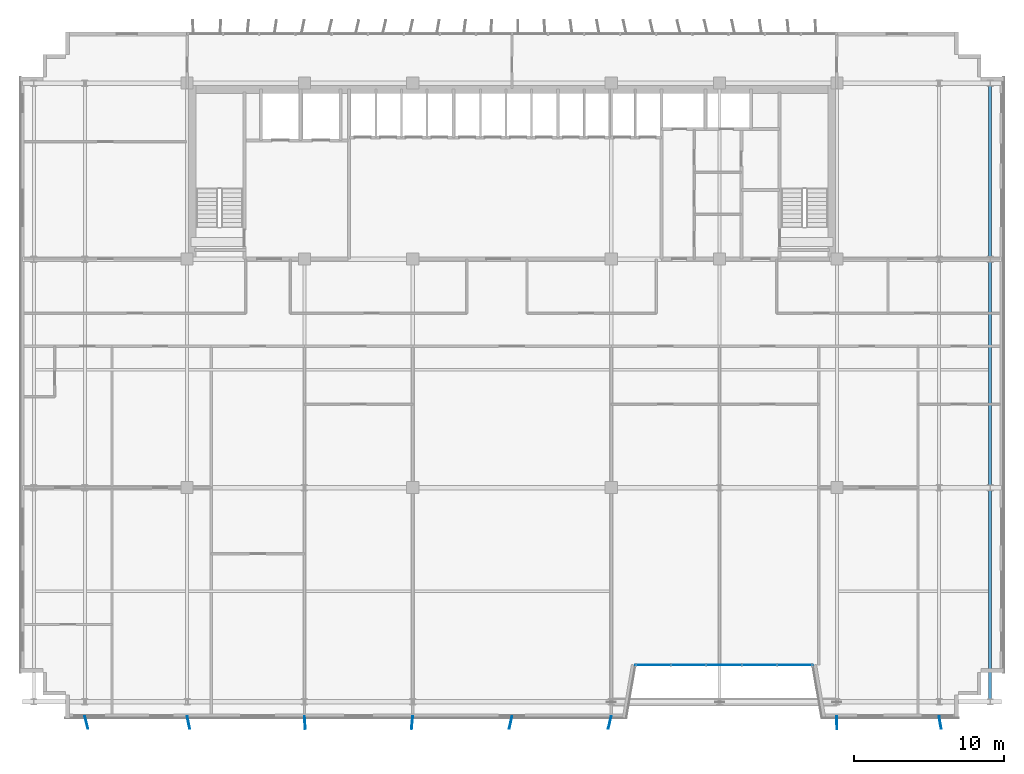
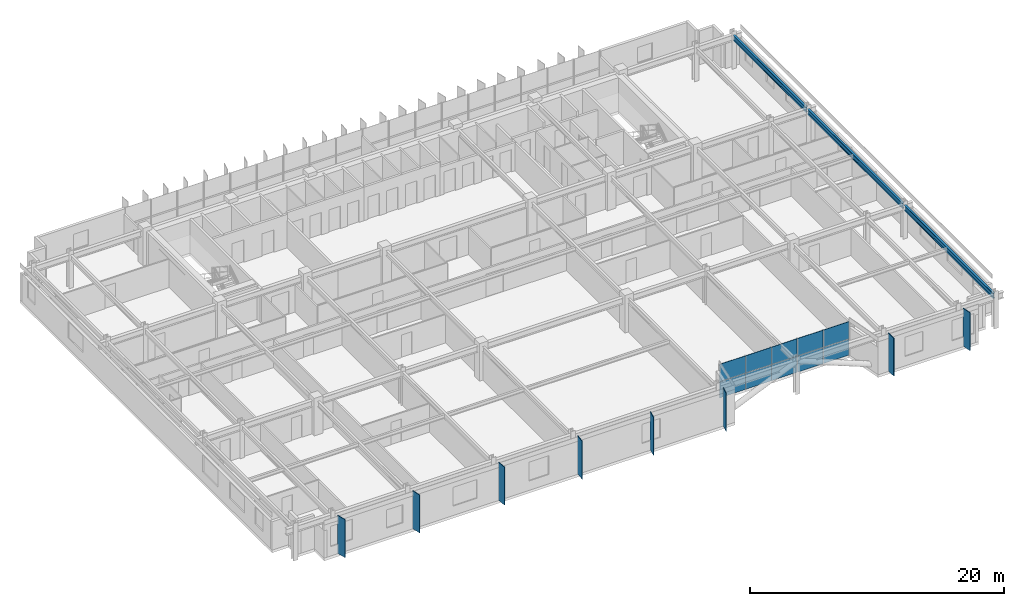
# One storey, part 16 of 26: 18 plates, 3 beams, 1 element without a shape of its own.
"""IFC4 building model written with IfcOpenShell, lengths in metres."""

from ifc_helpers import new_model, si_unit, direction, frame, origin, origin_2d, place, context, subcontext, project, spatial, rectangle, i_section, extrude, source, transform, mapped, material, layer, layer_set, material_profile, profile_set, type_object, element, aggregate, save


model = new_model("IFC4")

# Units and contexts
model_context = context("Model", 3, precision=1e-05, world=origin(), true_north=direction((0.0, 1.0)))
body_context = subcontext(model_context, "Body", "Model", "MODEL_VIEW")
ifc_project = project(units=[si_unit("LENGTHUNIT", "METRE"), si_unit("AREAUNIT", "SQUARE_METRE"), si_unit("VOLUMEUNIT", "CUBIC_METRE"), si_unit("PLANEANGLEUNIT", "RADIAN"), si_unit("MASSUNIT", "GRAM", prefix="KILO")], contexts=[model_context])

# Site, building, storey
site_placement = place(None, origin())
site = spatial("IfcSite", under=ifc_project, at=site_placement, CompositionType="ELEMENT")
building_placement = place(site_placement, origin())
building = spatial("IfcBuilding", under=site, at=building_placement, Name="Trelvane Seafront Commons", CompositionType="ELEMENT")
storey_placement = place(building_placement, frame((0.0, 0.0, 128.5)))
storey = spatial("IfcBuildingStorey", under=building, at=storey_placement, Name="L33", CompositionType="ELEMENT", Elevation=128.5)

# Beams
ifc_material_1 = material(Name="Steel SM355 (S355)", Category="steel")
ifc_material_profile = material_profile(ifc_material_1, i_section(OverallWidth=0.199951171875, OverallDepth=0.5, WebThickness=0.010009765625, FlangeThickness=0.01611328125, at=origin_2d()), Name="H-500x200x10x16")
ifc_profile_set = profile_set([ifc_material_profile], Name="Steel SM355 (S355)")
beam_type = type_object("IfcBeamType", Name="STR-BM-H500", PredefinedType="BEAM", material=ifc_profile_set)
shared_shape_1 = source(origin(), body_context, "Body", "SweptSolid", [
    extrude(i_section(OverallWidth=0.199951171875, OverallDepth=0.5, WebThickness=0.010009765625, FlangeThickness=0.01611328125, at=origin_2d()), origin(), (0.0, 0.0, 1.0), 14.050048828125),
])
beam_1_placement = place(storey_placement, frame((69.0, 4.050048828125, 2.969970703125), z_axis=(0.0, 1.0, 0.0), x_axis=(-1.0, 0.0, 0.0)))
element("IfcBeam", 1, at=beam_1_placement, inside=storey, type_object=beam_type, Name="L33 Primary Girder G-64", PredefinedType="BEAM", context=body_context, shape_type="MappedRepresentation", body=[
    mapped(shared_shape_1, transform((0.0, 0.0, 0.0), x_axis=(1.0, 0.0, 0.0), y_axis=(0.0, 1.0, 0.0), z_axis=(0.0, 0.0, 1.0), scale=1.0)),
])
shared_shape_2 = source(origin(), body_context, "Body", "SweptSolid", [
    extrude(i_section(OverallWidth=0.199951171875, OverallDepth=0.5, WebThickness=0.010009765625, FlangeThickness=0.01611328125, at=origin_2d()), origin(), (0.0, 0.0, 1.0), 15.0),
])
beam_2_placement = place(storey_placement, frame((69.0, 18.300048828125, 2.969970703125), z_axis=(0.0, 1.0, 0.0), x_axis=(-1.0, 0.0, 0.0)))
element("IfcBeam", 2, at=beam_2_placement, inside=storey, type_object=beam_type, Name="L33 Primary Girder G-65", PredefinedType="BEAM", context=body_context, shape_type="MappedRepresentation", body=[
    mapped(shared_shape_2, transform((0.0, 0.0, 0.0), x_axis=(1.0, 0.0, 0.0), y_axis=(0.0, 1.0, 0.0), z_axis=(0.0, 0.0, 1.0), scale=1.0)),
])
shared_shape_3 = source(origin(), body_context, "Body", "SweptSolid", [
    extrude(i_section(OverallWidth=0.199951171875, OverallDepth=0.5, WebThickness=0.010009765625, FlangeThickness=0.01611328125, at=origin_2d()), origin(), (0.0, 0.0, 1.0), 11.5),
])
beam_3_placement = place(storey_placement, frame((69.0, 33.5, 2.969970703125), z_axis=(0.0, 1.0, 0.0), x_axis=(-1.0, 0.0, 0.0)))
element("IfcBeam", 3, at=beam_3_placement, inside=storey, type_object=beam_type, Name="L33 Primary Girder G-66", PredefinedType="BEAM", context=body_context, shape_type="MappedRepresentation", body=[
    mapped(shared_shape_3, transform((0.0, 0.0, 0.0), x_axis=(1.0, 0.0, 0.0), y_axis=(0.0, 1.0, 0.0), z_axis=(0.0, 0.0, 1.0), scale=1.0)),
])

# Plates
ifc_material_2 = material(Name="Anodised pale-silver aluminium", Category="aluminium")
ifc_layer_1 = layer(ifc_material_2, 0.06005859375, Name="ARCH-PLATE-FIN900")
ifc_layer_set_1 = layer_set([ifc_layer_1], Name="Anodised pale-silver aluminium")
plate_type_1 = type_object("IfcPlateType", Name="ARCH-PLATE-FIN900", PredefinedType="USERDEFINED", material=ifc_layer_set_1)
shared_shape_4 = source(origin(), body_context, "Body", "SweptSolid", [
    extrude(rectangle(XDim=0.85009765625, YDim=0.06005859375, at=origin_2d()), origin(), (0.0, 0.0, 1.0), 3.639892578125),
])
for number, where, z_axis, x_axis, name in (
    (4, (8.902099609375, 2.58740234375, -0.02001953125), (0.0, 0.0, 1.0), (0.240126387968, -0.970741632877, 0.0), "FIN-S-L33-00898"),
    (5, (15.6865234375, 2.583984375, -0.02001953125), (0.0, 0.0, 1.0), (0.203417898691, -0.979092007164, 0.0), "FIN-S-L33-00899"),
    (6, (23.43017578125, 2.575927734375, -0.02001953125), (0.0, 0.0, 1.0), (0.070703588438, -0.997497369712, 0.0), "FIN-S-L33-00900"),
    (7, (30.55908203125, 2.576904296875, -0.02001953125), (0.0, 0.0, 1.0), (-0.096358241554, -0.995346718126, 0.0), "FIN-S-L33-00901"),
    (8, (37.10791015625, 2.585205078125, -0.02001953125), (0.0, 0.0, 1.0), (-0.216705423357, -0.976237040625, 0.0), "FIN-S-L33-00902"),
    (9, (43.699951171875, 2.5869140625, -0.02001953125), (0.0, 0.0, 1.0), (-0.235415222922, -0.971894887741, 0.0), "FIN-S-L33-00903"),
    (10, (58.806640625, 2.5751953125, -0.02001953125), (0.0, 0.0, 1.0), (0.015764906046, -0.999875726147, 0.0), "FIN-S-L33-00904"),
    (11, (65.67138671875, 2.5810546875, -0.02001953125), (0.0, 0.0, 1.0), (0.168346586498, -0.98572786651, 0.0), "FIN-S-L33-00905"),
):
    element("IfcPlate", number, at=place(storey_placement, frame(where, z_axis=z_axis, x_axis=x_axis)), inside=storey, type_object=plate_type_1, Name=name, ObjectType="FIN", PredefinedType="USERDEFINED", context=body_context, shape_type="MappedRepresentation", body=[
        mapped(shared_shape_4, transform((0.0, 0.0, 0.0), x_axis=(1.0, 0.0, 0.0), y_axis=(0.0, 1.0, 0.0), z_axis=(0.0, 0.0, 1.0), scale=1.0)),
    ])

# Curtain wall, plates
curtain_wall_type = type_object("IfcCurtainWallType", Name="ARCH-CW3-PORTAL", PredefinedType="NOTDEFINED", material=ifc_material_2)
curtain_wall_placement = place(storey_placement, origin())
curtain_wall = element("IfcCurtainWall", 12, at=curtain_wall_placement, inside=storey, type_object=curtain_wall_type, Name="CW-L33-VN-0060", PredefinedType="NOTDEFINED")
ifc_material_3 = material(Name="Low-E coastal double glazing", Category="glass")
ifc_layer_2 = layer(ifc_material_3, 0.033935546875, Name="ARCH-CW-GLAZ-34")
ifc_layer_set_2 = layer_set([ifc_layer_2], Name="Low-E coastal double glazing")
plate_type_2 = type_object("IfcPlateType", Name="ARCH-CW-GLAZ-34", PredefinedType="CURTAIN_PANEL", material=ifc_layer_set_2)
shared_shape_5 = source(origin(), body_context, "Body", "SweptSolid", [
    extrude(rectangle(XDim=2.3359375, YDim=0.0380859375, at=origin_2d()), origin(), (0.0, 0.0, 1.0), 1.528076171875),
])
plate_1_placement = place(storey_placement, frame((56.02001953125, 6.39990234375, 0.0), z_axis=(0.0, 0.0, 1.0), x_axis=(-1.0, 0.0, 0.0)))
plate_1 = element("IfcPlate", 13, at=plate_1_placement, type_object=plate_type_2, Name="CW-L33-VN-0060-P00-1", PredefinedType="CURTAIN_PANEL", context=body_context, shape_type="MappedRepresentation", body=[
    mapped(shared_shape_5, transform((0.0, 0.0, 0.0), x_axis=(1.0, 0.0, 0.0), y_axis=(0.0, 1.0, 0.0), z_axis=(0.0, 0.0, 1.0), scale=1.0)),
])
plate_2_placement = place(storey_placement, frame((53.659912109375, 6.39990234375, 0.0), z_axis=(0.0, 0.0, 1.0), x_axis=(-1.0, 0.0, 0.0)))
plate_2 = element("IfcPlate", 14, at=plate_2_placement, type_object=plate_type_2, Name="CW-L33-VN-0060-P01-1", PredefinedType="CURTAIN_PANEL", context=body_context, shape_type="MappedRepresentation", body=[
    mapped(shared_shape_5, transform((0.0, 0.0, 0.0), x_axis=(1.0, 0.0, 0.0), y_axis=(0.0, 1.0, 0.0), z_axis=(0.0, 0.0, 1.0), scale=1.0)),
])
plate_3_placement = place(storey_placement, frame((51.300048828125, 6.39990234375, 0.0), z_axis=(0.0, 0.0, 1.0), x_axis=(-1.0, 0.0, 0.0)))
plate_3 = element("IfcPlate", 15, at=plate_3_placement, type_object=plate_type_2, Name="CW-L33-VN-0060-P02-1", PredefinedType="CURTAIN_PANEL", context=body_context, shape_type="MappedRepresentation", body=[
    mapped(shared_shape_5, transform((0.0, 0.0, 0.0), x_axis=(1.0, 0.0, 0.0), y_axis=(0.0, 1.0, 0.0), z_axis=(0.0, 0.0, 1.0), scale=1.0)),
])
plate_4_placement = place(storey_placement, frame((48.93994140625, 6.39990234375, 0.0), z_axis=(0.0, 0.0, 1.0), x_axis=(-1.0, 0.0, 0.0)))
plate_4 = element("IfcPlate", 16, at=plate_4_placement, type_object=plate_type_2, Name="CW-L33-VN-0060-P03-1", PredefinedType="CURTAIN_PANEL", context=body_context, shape_type="MappedRepresentation", body=[
    mapped(shared_shape_5, transform((0.0, 0.0, 0.0), x_axis=(1.0, 0.0, 0.0), y_axis=(0.0, 1.0, 0.0), z_axis=(0.0, 0.0, 1.0), scale=1.0)),
])
plate_5_placement = place(storey_placement, frame((46.580078125, 6.39990234375, 0.0), z_axis=(0.0, 0.0, 1.0), x_axis=(-1.0, 0.0, 0.0)))
plate_5 = element("IfcPlate", 17, at=plate_5_placement, type_object=plate_type_2, Name="CW-L33-VN-0060-P04-1", PredefinedType="CURTAIN_PANEL", context=body_context, shape_type="MappedRepresentation", body=[
    mapped(shared_shape_5, transform((0.0, 0.0, 0.0), x_axis=(1.0, 0.0, 0.0), y_axis=(0.0, 1.0, 0.0), z_axis=(0.0, 0.0, 1.0), scale=1.0)),
])
shared_shape_6 = source(origin(), body_context, "Body", "SweptSolid", [
    extrude(rectangle(XDim=2.3359375, YDim=0.0380859375, at=origin_2d()), origin(), (0.0, 0.0, 1.0), 1.656005859375),
])
plate_6_placement = place(storey_placement, frame((56.02001953125, 6.39990234375, 1.56396484375), z_axis=(0.0, 0.0, 1.0), x_axis=(-1.0, 0.0, 0.0)))
plate_6 = element("IfcPlate", 18, at=plate_6_placement, type_object=plate_type_2, Name="CW-L33-VN-0060-P00-2", PredefinedType="CURTAIN_PANEL", context=body_context, shape_type="MappedRepresentation", body=[
    mapped(shared_shape_6, transform((0.0, 0.0, 0.0), x_axis=(1.0, 0.0, 0.0), y_axis=(0.0, 1.0, 0.0), z_axis=(0.0, 0.0, 1.0), scale=1.0)),
])
plate_7_placement = place(storey_placement, frame((53.659912109375, 6.39990234375, 1.56396484375), z_axis=(0.0, 0.0, 1.0), x_axis=(-1.0, 0.0, 0.0)))
plate_7 = element("IfcPlate", 19, at=plate_7_placement, type_object=plate_type_2, Name="CW-L33-VN-0060-P01-2", PredefinedType="CURTAIN_PANEL", context=body_context, shape_type="MappedRepresentation", body=[
    mapped(shared_shape_6, transform((0.0, 0.0, 0.0), x_axis=(1.0, 0.0, 0.0), y_axis=(0.0, 1.0, 0.0), z_axis=(0.0, 0.0, 1.0), scale=1.0)),
])
plate_8_placement = place(storey_placement, frame((51.300048828125, 6.39990234375, 1.56396484375), z_axis=(0.0, 0.0, 1.0), x_axis=(-1.0, 0.0, 0.0)))
plate_8 = element("IfcPlate", 20, at=plate_8_placement, type_object=plate_type_2, Name="CW-L33-VN-0060-P02-2", PredefinedType="CURTAIN_PANEL", context=body_context, shape_type="MappedRepresentation", body=[
    mapped(shared_shape_6, transform((0.0, 0.0, 0.0), x_axis=(1.0, 0.0, 0.0), y_axis=(0.0, 1.0, 0.0), z_axis=(0.0, 0.0, 1.0), scale=1.0)),
])
plate_9_placement = place(storey_placement, frame((48.93994140625, 6.39990234375, 1.56396484375), z_axis=(0.0, 0.0, 1.0), x_axis=(-1.0, 0.0, 0.0)))
plate_9 = element("IfcPlate", 21, at=plate_9_placement, type_object=plate_type_2, Name="CW-L33-VN-0060-P03-2", PredefinedType="CURTAIN_PANEL", context=body_context, shape_type="MappedRepresentation", body=[
    mapped(shared_shape_6, transform((0.0, 0.0, 0.0), x_axis=(1.0, 0.0, 0.0), y_axis=(0.0, 1.0, 0.0), z_axis=(0.0, 0.0, 1.0), scale=1.0)),
])
plate_10_placement = place(storey_placement, frame((46.580078125, 6.39990234375, 1.56396484375), z_axis=(0.0, 0.0, 1.0), x_axis=(-1.0, 0.0, 0.0)))
plate_10 = element("IfcPlate", 22, at=plate_10_placement, type_object=plate_type_2, Name="CW-L33-VN-0060-P04-2", PredefinedType="CURTAIN_PANEL", context=body_context, shape_type="MappedRepresentation", body=[
    mapped(shared_shape_6, transform((0.0, 0.0, 0.0), x_axis=(1.0, 0.0, 0.0), y_axis=(0.0, 1.0, 0.0), z_axis=(0.0, 0.0, 1.0), scale=1.0)),
])
aggregate(curtain_wall, [plate_1, plate_6, plate_2, plate_7, plate_3, plate_8, plate_4, plate_9, plate_5, plate_10])

save(model, "model.ifc")
